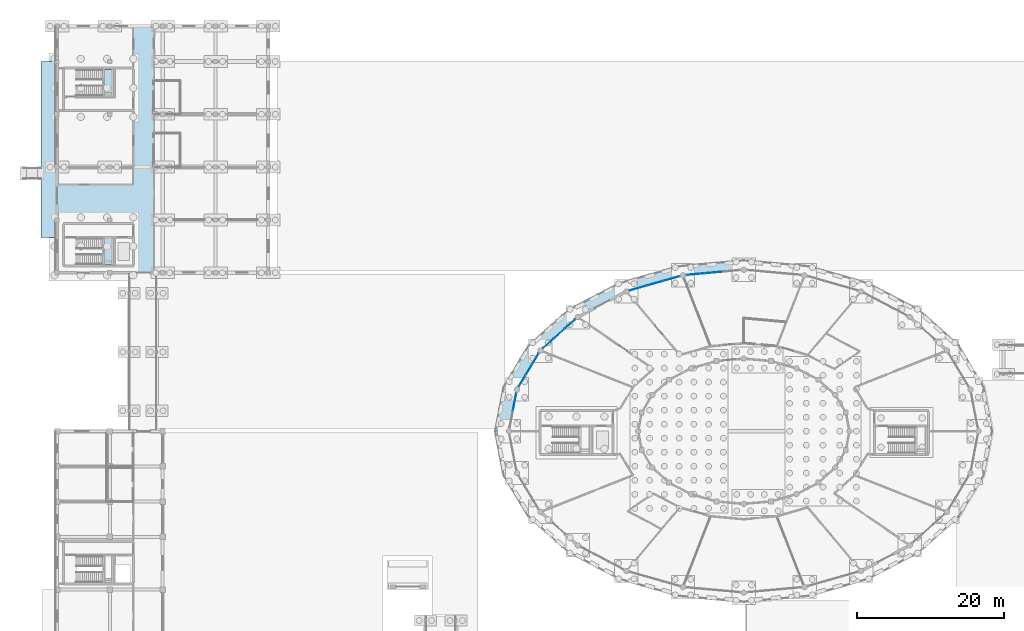
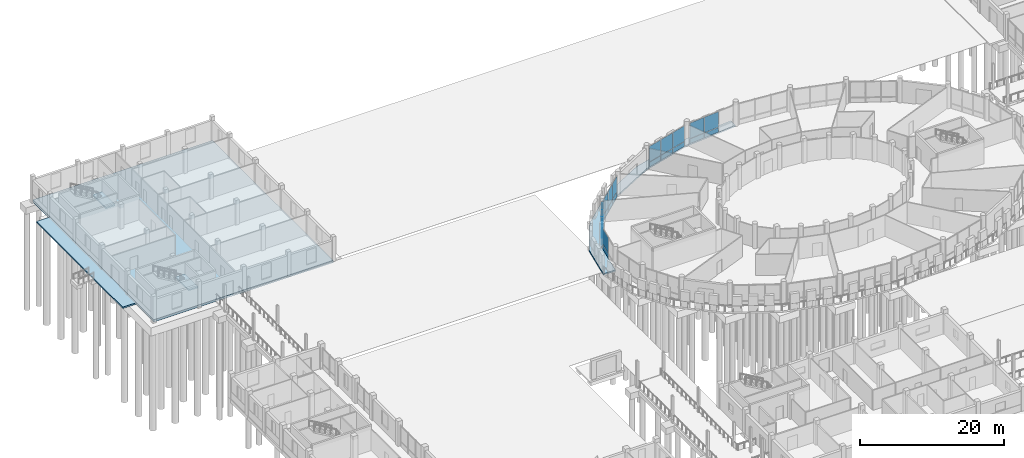
# One storey, part 67 of 98: 24 plates, 5 slabs, 7 elements without a shape of their own.
"""IFC4 building model written with IfcOpenShell, lengths in metres."""

from ifc_helpers import new_model, si_unit, direction, frame, origin, origin_2d, place, context, subcontext, project, spatial, polyline, rectangle, outline, extrude, material, layer, layer_set, type_object, element, aggregate, save


model = new_model("IFC4")

# Units and contexts
model_context = context("Model", 3, precision=1e-05, world=origin(), true_north=direction((0.0, 1.0)))
body_context = subcontext(model_context, "Body", "Model", "MODEL_VIEW")
ifc_project = project(units=[si_unit("LENGTHUNIT", "METRE"), si_unit("AREAUNIT", "SQUARE_METRE"), si_unit("VOLUMEUNIT", "CUBIC_METRE"), si_unit("PLANEANGLEUNIT", "RADIAN"), si_unit("MASSUNIT", "GRAM", prefix="KILO")], contexts=[model_context])

# Site, building, storey
site_placement = place(None, origin())
site = spatial("IfcSite", under=ifc_project, at=site_placement, CompositionType="ELEMENT")
building_placement = place(site_placement, origin())
building = spatial("IfcBuilding", under=site, at=building_placement, Name="Zornivar Specialist Clinic", CompositionType="ELEMENT")
storey_placement = place(building_placement, origin())
storey = spatial("IfcBuildingStorey", under=building, at=storey_placement, Name="L00", CompositionType="ELEMENT", Elevation=0.0)

# Curtain wall, plates
ifc_material_1 = material(Name="Aluminium and Low-E Glass Curtain Wall", Category="aluminium")
curtain_wall_type = type_object("IfcCurtainWallType", Name="CW-DRUM-FACET", PredefinedType="NOTDEFINED", material=ifc_material_1)
curtain_wall_1_placement = place(storey_placement, origin())
curtain_wall_1 = element("IfcCurtainWall", 1, at=curtain_wall_1_placement, inside=storey, type_object=curtain_wall_type, Name="cw:V1:L00:c06", PredefinedType="NOTDEFINED")
ifc_material_2 = material(Name="Insulated Bronze Spandrel Panel")
ifc_layer_1 = layer(ifc_material_2, 0.048095703125)
ifc_layer_set_1 = layer_set([ifc_layer_1], Name="Insulated Bronze Spandrel Panel")
plate_type_1 = type_object("IfcPlateType", Name="CWP-SPN-A", PredefinedType="CURTAIN_PANEL", material=ifc_layer_set_1)
plate_1_placement = place(storey_placement, frame((89.458984375, 79.22509765625, 0.030029296875), z_axis=(0.0, 0.0, 1.0), x_axis=(-0.995932792393, -0.09009923993, 0.0)))
plate_1 = element("IfcPlate", 2, at=plate_1_placement, type_object=plate_type_1, Name="cw:V1:L00:c06:spn:1", PredefinedType="CURTAIN_PANEL", context=body_context, shape_type="SweptSolid", body=[
    extrude(rectangle(XDim=2.382080078125, YDim=0.048095703125, at=origin_2d()), origin(), (0.0, 0.0, 1.0), 0.7900390625),
])
plate_2_placement = place(storey_placement, frame((87.01708984375, 79.00390625, 0.030029296875), z_axis=(0.0, 0.0, 1.0), x_axis=(-0.995932792393, -0.09009923993, 0.0)))
plate_2 = element("IfcPlate", 3, at=plate_2_placement, type_object=plate_type_1, Name="cw:V1:L00:c06:spn:2", PredefinedType="CURTAIN_PANEL", context=body_context, shape_type="SweptSolid", body=[
    extrude(rectangle(XDim=2.382080078125, YDim=0.048095703125, at=origin_2d()), origin(), (0.0, 0.0, 1.0), 0.7900390625),
])

curtain_wall_2_placement = place(storey_placement, origin())
curtain_wall_2 = element("IfcCurtainWall", 4, at=curtain_wall_2_placement, inside=storey, type_object=curtain_wall_type, Name="cw:V1:L00:c07", PredefinedType="NOTDEFINED")
ifc_material_3 = material(Name="Insulated Bronze Spandrel Panel")
ifc_layer_2 = layer(ifc_material_3, 0.048095703125)
ifc_layer_set_2 = layer_set([ifc_layer_2], Name="Insulated Bronze Spandrel Panel")
plate_type_2 = type_object("IfcPlateType", Name="CWP-SPN-B", PredefinedType="CURTAIN_PANEL", material=ifc_layer_set_2)
plate_3_placement = place(storey_placement, frame((83.72412109375, 78.39697265625, 0.030029296875), z_axis=(0.0, 0.0, 1.0), x_axis=(-0.961761244933, -0.273889225319, 0.0)))
plate_3 = element("IfcPlate", 5, at=plate_3_placement, type_object=plate_type_2, Name="cw:V1:L00:c07:spn:0", PredefinedType="CURTAIN_PANEL", context=body_context, shape_type="SweptSolid", body=[
    extrude(rectangle(XDim=2.284912109375, YDim=0.048095703125, at=origin_2d()), origin(), (0.0, 0.0, 1.0), 0.7900390625),
])
plate_4_placement = place(storey_placement, frame((81.458984375, 77.751953125, 0.030029296875), z_axis=(0.0, 0.0, 1.0), x_axis=(-0.961761244933, -0.273889225319, 0.0)))
plate_4 = element("IfcPlate", 6, at=plate_4_placement, type_object=plate_type_2, Name="cw:V1:L00:c07:spn:1", PredefinedType="CURTAIN_PANEL", context=body_context, shape_type="SweptSolid", body=[
    extrude(rectangle(XDim=2.284912109375, YDim=0.048095703125, at=origin_2d()), origin(), (0.0, 0.0, 1.0), 0.7900390625),
])
plate_5_placement = place(storey_placement, frame((79.194091796875, 77.10693359375, 0.030029296875), z_axis=(0.0, 0.0, 1.0), x_axis=(-0.961761244933, -0.273889225319, 0.0)))
plate_5 = element("IfcPlate", 7, at=plate_5_placement, type_object=plate_type_2, Name="cw:V1:L00:c07:spn:2", PredefinedType="CURTAIN_PANEL", context=body_context, shape_type="SweptSolid", body=[
    extrude(rectangle(XDim=2.284912109375, YDim=0.048095703125, at=origin_2d()), origin(), (0.0, 0.0, 1.0), 0.7900390625),
])

curtain_wall_3_placement = place(storey_placement, origin())
curtain_wall_3 = element("IfcCurtainWall", 8, at=curtain_wall_3_placement, inside=storey, type_object=curtain_wall_type, Name="cw:V1:L00:c09", PredefinedType="NOTDEFINED")
ifc_material_4 = material(Name="Insulated Limestone-Faced Spandrel Panel", Category="masonry")
ifc_layer_3 = layer(ifc_material_4, 0.05810546875)
ifc_layer_set_3 = layer_set([ifc_layer_3], Name="Insulated Limestone-Faced Spandrel Panel")
plate_type_3 = type_object("IfcPlateType", Name="CWP-SPN-D", PredefinedType="CURTAIN_PANEL", material=ifc_layer_set_3)
plate_6_placement = place(storey_placement, frame((69.886962890625, 72.18310546875, 0.030029296875), z_axis=(0.0, 0.0, 1.0), x_axis=(-0.744880599036, -0.667197791648, 0.0)))
plate_6 = element("IfcPlate", 9, at=plate_6_placement, type_object=plate_type_3, Name="cw:V1:L00:c09:spn:0", PredefinedType="CURTAIN_PANEL", context=body_context, shape_type="SweptSolid", body=[
    extrude(rectangle(XDim=1.885986328125, YDim=0.05810546875, at=origin_2d()), origin(), (0.0, 0.0, 1.0), 0.7900390625),
])
plate_7_placement = place(storey_placement, frame((68.429931640625, 70.8779296875, 0.030029296875), z_axis=(0.0, 0.0, 1.0), x_axis=(-0.744880599036, -0.667197791648, 0.0)))
plate_7 = element("IfcPlate", 10, at=plate_7_placement, type_object=plate_type_3, Name="cw:V1:L00:c09:spn:1", PredefinedType="CURTAIN_PANEL", context=body_context, shape_type="SweptSolid", body=[
    extrude(rectangle(XDim=1.885986328125, YDim=0.05810546875, at=origin_2d()), origin(), (0.0, 0.0, 1.0), 0.7900390625),
])
plate_8_placement = place(storey_placement, frame((66.972900390625, 69.572998046875, 0.030029296875), z_axis=(0.0, 0.0, 1.0), x_axis=(-0.744880599036, -0.667197791648, 0.0)))
plate_8 = element("IfcPlate", 11, at=plate_8_placement, type_object=plate_type_3, Name="cw:V1:L00:c09:spn:2", PredefinedType="CURTAIN_PANEL", context=body_context, shape_type="SweptSolid", body=[
    extrude(rectangle(XDim=1.885009765625, YDim=0.05810546875, at=origin_2d()), origin(), (0.0, 0.0, 1.0), 0.7900390625),
])

curtain_wall_4_placement = place(storey_placement, origin())
curtain_wall_4 = element("IfcCurtainWall", 12, at=curtain_wall_4_placement, inside=storey, type_object=curtain_wall_type, Name="cw:V1:L00:c10", PredefinedType="NOTDEFINED")
ifc_material_5 = material(Name="Insulated Bronze Spandrel Panel")
ifc_layer_4 = layer(ifc_material_5, 0.0458984375)
ifc_layer_set_4 = layer_set([ifc_layer_4], Name="Insulated Bronze Spandrel Panel")
plate_type_4 = type_object("IfcPlateType", Name="CWP-SPN-E", PredefinedType="CURTAIN_PANEL", material=ifc_layer_set_4)
plate_9_placement = place(storey_placement, frame((65.18896484375, 67.44091796875, 0.030029296875), z_axis=(0.0, 0.0, 1.0), x_axis=(-0.516127401954, -0.856511824175, 0.0)))
plate_9 = element("IfcPlate", 13, at=plate_9_placement, type_object=plate_type_4, Name="cw:V1:L00:c10:spn:0", PredefinedType="CURTAIN_PANEL", context=body_context, shape_type="SweptSolid", body=[
    extrude(rectangle(XDim=1.675048828125, YDim=0.0458984375, at=origin_2d()), origin(), (0.0, 0.0, 1.0), 0.7900390625),
])
plate_10_placement = place(storey_placement, frame((64.2890625, 65.947021484375, 0.030029296875), z_axis=(0.0, 0.0, 1.0), x_axis=(-0.516127401954, -0.856511824175, 0.0)))
plate_10 = element("IfcPlate", 14, at=plate_10_placement, type_object=plate_type_4, Name="cw:V1:L00:c10:spn:1", PredefinedType="CURTAIN_PANEL", context=body_context, shape_type="SweptSolid", body=[
    extrude(rectangle(XDim=1.675048828125, YDim=0.0458984375, at=origin_2d()), origin(), (0.0, 0.0, 1.0), 0.7900390625),
])
plate_11_placement = place(storey_placement, frame((63.387939453125, 64.451904296875, 0.030029296875), z_axis=(0.0, 0.0, 1.0), x_axis=(-0.516127401954, -0.856511824175, 0.0)))
plate_11 = element("IfcPlate", 15, at=plate_11_placement, type_object=plate_type_4, Name="cw:V1:L00:c10:spn:2", PredefinedType="CURTAIN_PANEL", context=body_context, shape_type="SweptSolid", body=[
    extrude(rectangle(XDim=1.675048828125, YDim=0.0458984375, at=origin_2d()), origin(), (0.0, 0.0, 1.0), 0.7900390625),
])

# Curtain wall, plate
curtain_wall_5_placement = place(storey_placement, origin())
curtain_wall_5 = element("IfcCurtainWall", 16, at=curtain_wall_5_placement, inside=storey, type_object=curtain_wall_type, Name="cw:V1:L00:c11", PredefinedType="NOTDEFINED")
ifc_material_6 = material(Name="Insulated Terracotta Spandrel Panel", Category="masonry")
ifc_layer_5 = layer(ifc_material_6, 0.05810546875)
ifc_layer_set_5 = layer_set([ifc_layer_5], Name="Insulated Terracotta Spandrel Panel")
plate_type_5 = type_object("IfcPlateType", Name="CWP-SPN-F", PredefinedType="CURTAIN_PANEL", material=ifc_layer_set_5)
plate_12_placement = place(storey_placement, frame((62.3720703125, 61.635009765625, 0.030029296875), z_axis=(0.0, 0.0, 1.0), x_axis=(-0.187896976838, -0.982188742602, 0.0)))
plate_12 = element("IfcPlate", 17, at=plate_12_placement, type_object=plate_type_5, Name="cw:V1:L00:c11:spn:0", PredefinedType="CURTAIN_PANEL", context=body_context, shape_type="SweptSolid", body=[
    extrude(rectangle(XDim=2.34912109375, YDim=0.05810546875, at=origin_2d()), origin(), (0.0, 0.0, 1.0), 0.7900390625),
])

# Plate
ifc_material_7 = material(Name="Triple Low-E Vision Glass", Category="glass")
ifc_layer_6 = layer(ifc_material_7, 0.035888671875)
ifc_layer_set_6 = layer_set([ifc_layer_6], Name="Triple Low-E Vision Glass")
plate_type_6 = type_object("IfcPlateType", Name="CWP-VIS-A", PredefinedType="CURTAIN_PANEL", material=ifc_layer_set_6)
plate_13_placement = place(storey_placement, frame((65.18896484375, 67.44091796875, 0.884521484375), z_axis=(0.0, 0.0, 1.0), x_axis=(-0.516127401954, -0.856511824175, 0.0)))
plate_13 = element("IfcPlate", 18, at=plate_13_placement, type_object=plate_type_6, Name="cw:V1:L00:c10:vis:0", PredefinedType="CURTAIN_PANEL", context=body_context, shape_type="SweptSolid", body=[
    extrude(rectangle(XDim=1.675048828125, YDim=0.035888671875, at=origin_2d()), origin(), (0.0, 0.0, 1.0), 2.625),
])

plate_14_placement = place(storey_placement, frame((64.2890625, 65.947021484375, 0.884521484375), z_axis=(0.0, 0.0, 1.0), x_axis=(-0.516127401954, -0.856511824175, 0.0)))
plate_14 = element("IfcPlate", 19, at=plate_14_placement, type_object=plate_type_6, Name="cw:V1:L00:c10:vis:1", PredefinedType="CURTAIN_PANEL", context=body_context, shape_type="SweptSolid", body=[
    extrude(rectangle(XDim=1.675048828125, YDim=0.035888671875, at=origin_2d()), origin(), (0.0, 0.0, 1.0), 2.625),
])

plate_15_placement = place(storey_placement, frame((63.387939453125, 64.451904296875, 0.884521484375), z_axis=(0.0, 0.0, 1.0), x_axis=(-0.516127401954, -0.856511824175, 0.0)))
plate_15 = element("IfcPlate", 20, at=plate_15_placement, type_object=plate_type_6, Name="cw:V1:L00:c10:vis:2", PredefinedType="CURTAIN_PANEL", context=body_context, shape_type="SweptSolid", body=[
    extrude(rectangle(XDim=1.675048828125, YDim=0.035888671875, at=origin_2d()), origin(), (0.0, 0.0, 1.0), 2.625),
])

aggregate(curtain_wall_4, [plate_9, plate_13, plate_10, plate_14, plate_11, plate_15])

ifc_material_8 = material(Name="Triple Low-E Vision Glass", Category="glass")
ifc_layer_7 = layer(ifc_material_8, 0.035888671875)
ifc_layer_set_7 = layer_set([ifc_layer_7], Name="Triple Low-E Vision Glass")
plate_type_7 = type_object("IfcPlateType", Name="CWP-VIS-B", PredefinedType="CURTAIN_PANEL", material=ifc_layer_set_7)
plate_16_placement = place(storey_placement, frame((62.3720703125, 61.635009765625, 0.884521484375), z_axis=(0.0, 0.0, 1.0), x_axis=(-0.187896976838, -0.982188742602, 0.0)))
plate_16 = element("IfcPlate", 21, at=plate_16_placement, type_object=plate_type_7, Name="cw:V1:L00:c11:vis:0", PredefinedType="CURTAIN_PANEL", context=body_context, shape_type="SweptSolid", body=[
    extrude(rectangle(XDim=2.34912109375, YDim=0.035888671875, at=origin_2d()), origin(), (0.0, 0.0, 1.0), 2.625),
])

aggregate(curtain_wall_5, [plate_12, plate_16])

ifc_material_9 = material(Name="Triple Low-E Vision Glass", Category="glass")
ifc_layer_8 = layer(ifc_material_9, 0.035888671875)
ifc_layer_set_8 = layer_set([ifc_layer_8], Name="Triple Low-E Vision Glass")
plate_type_8 = type_object("IfcPlateType", Name="CWP-VIS-G", PredefinedType="CURTAIN_PANEL", material=ifc_layer_set_8)
plate_17_placement = place(storey_placement, frame((89.458984375, 79.22509765625, 0.884521484375), z_axis=(0.0, 0.0, 1.0), x_axis=(-0.995932792393, -0.09009923993, 0.0)))
plate_17 = element("IfcPlate", 22, at=plate_17_placement, type_object=plate_type_8, Name="cw:V1:L00:c06:vis:1", PredefinedType="CURTAIN_PANEL", context=body_context, shape_type="SweptSolid", body=[
    extrude(rectangle(XDim=2.382080078125, YDim=0.035888671875, at=origin_2d()), origin(), (0.0, 0.0, 1.0), 2.625),
])

plate_18_placement = place(storey_placement, frame((87.01708984375, 79.00390625, 0.884521484375), z_axis=(0.0, 0.0, 1.0), x_axis=(-0.995932792393, -0.09009923993, 0.0)))
plate_18 = element("IfcPlate", 23, at=plate_18_placement, type_object=plate_type_8, Name="cw:V1:L00:c06:vis:2", PredefinedType="CURTAIN_PANEL", context=body_context, shape_type="SweptSolid", body=[
    extrude(rectangle(XDim=2.382080078125, YDim=0.035888671875, at=origin_2d()), origin(), (0.0, 0.0, 1.0), 2.625),
])

aggregate(curtain_wall_1, [plate_1, plate_17, plate_2, plate_18])

ifc_material_10 = material(Name="Triple Low-E Vision Glass", Category="glass")
ifc_layer_9 = layer(ifc_material_10, 0.033935546875)
ifc_layer_set_9 = layer_set([ifc_layer_9], Name="Triple Low-E Vision Glass")
plate_type_9 = type_object("IfcPlateType", Name="CWP-VIS-H", PredefinedType="CURTAIN_PANEL", material=ifc_layer_set_9)
plate_19_placement = place(storey_placement, frame((83.72412109375, 78.39697265625, 0.884521484375), z_axis=(0.0, 0.0, 1.0), x_axis=(-0.961761244933, -0.273889225319, 0.0)))
plate_19 = element("IfcPlate", 24, at=plate_19_placement, type_object=plate_type_9, Name="cw:V1:L00:c07:vis:0", PredefinedType="CURTAIN_PANEL", context=body_context, shape_type="SweptSolid", body=[
    extrude(rectangle(XDim=2.284912109375, YDim=0.033935546875, at=origin_2d()), origin(), (0.0, 0.0, 1.0), 2.625),
])

plate_20_placement = place(storey_placement, frame((81.458984375, 77.751953125, 0.884521484375), z_axis=(0.0, 0.0, 1.0), x_axis=(-0.961761244933, -0.273889225319, 0.0)))
plate_20 = element("IfcPlate", 25, at=plate_20_placement, type_object=plate_type_9, Name="cw:V1:L00:c07:vis:1", PredefinedType="CURTAIN_PANEL", context=body_context, shape_type="SweptSolid", body=[
    extrude(rectangle(XDim=2.284912109375, YDim=0.033935546875, at=origin_2d()), origin(), (0.0, 0.0, 1.0), 2.625),
])

plate_21_placement = place(storey_placement, frame((79.194091796875, 77.10693359375, 0.884521484375), z_axis=(0.0, 0.0, 1.0), x_axis=(-0.961761244933, -0.273889225319, 0.0)))
plate_21 = element("IfcPlate", 26, at=plate_21_placement, type_object=plate_type_9, Name="cw:V1:L00:c07:vis:2", PredefinedType="CURTAIN_PANEL", context=body_context, shape_type="SweptSolid", body=[
    extrude(rectangle(XDim=2.284912109375, YDim=0.033935546875, at=origin_2d()), origin(), (0.0, 0.0, 1.0), 2.625),
])

aggregate(curtain_wall_2, [plate_3, plate_19, plate_4, plate_20, plate_5, plate_21])

ifc_material_11 = material(Name="Solar-Control Wintergarden Glass", Category="glass")
ifc_layer_10 = layer(ifc_material_11, 0.0380859375)
ifc_layer_set_10 = layer_set([ifc_layer_10], Name="Solar-Control Wintergarden Glass")
plate_type_10 = type_object("IfcPlateType", Name="CWP-VIS-L", PredefinedType="CURTAIN_PANEL", material=ifc_layer_set_10)
plate_22_placement = place(storey_placement, frame((69.886962890625, 72.18310546875, 0.884521484375), z_axis=(0.0, 0.0, 1.0), x_axis=(-0.744880599036, -0.667197791648, 0.0)))
plate_22 = element("IfcPlate", 27, at=plate_22_placement, type_object=plate_type_10, Name="cw:V1:L00:c09:vis:0", PredefinedType="CURTAIN_PANEL", context=body_context, shape_type="SweptSolid", body=[
    extrude(rectangle(XDim=1.885986328125, YDim=0.0380859375, at=origin_2d()), origin(), (0.0, 0.0, 1.0), 2.625),
])

plate_23_placement = place(storey_placement, frame((68.429931640625, 70.8779296875, 0.884521484375), z_axis=(0.0, 0.0, 1.0), x_axis=(-0.744880599036, -0.667197791648, 0.0)))
plate_23 = element("IfcPlate", 28, at=plate_23_placement, type_object=plate_type_10, Name="cw:V1:L00:c09:vis:1", PredefinedType="CURTAIN_PANEL", context=body_context, shape_type="SweptSolid", body=[
    extrude(rectangle(XDim=1.885986328125, YDim=0.0380859375, at=origin_2d()), origin(), (0.0, 0.0, 1.0), 2.625),
])

plate_24_placement = place(storey_placement, frame((66.972900390625, 69.572998046875, 0.884521484375), z_axis=(0.0, 0.0, 1.0), x_axis=(-0.744880599036, -0.667197791648, 0.0)))
plate_24 = element("IfcPlate", 29, at=plate_24_placement, type_object=plate_type_10, Name="cw:V1:L00:c09:vis:2", PredefinedType="CURTAIN_PANEL", context=body_context, shape_type="SweptSolid", body=[
    extrude(rectangle(XDim=1.885009765625, YDim=0.0380859375, at=origin_2d()), origin(), (0.0, 0.0, 1.0), 2.625),
])

aggregate(curtain_wall_3, [plate_6, plate_22, plate_7, plate_23, plate_8, plate_24])

# Slabs
ifc_material_12 = material(Name="Concrete C30/37", Category="concrete")
ifc_layer_11 = layer(ifc_material_12, 0.3798828125)
ifc_layer_set_11 = layer_set([ifc_layer_11], Name="Concrete C30/37")
slab_type_1 = type_object("IfcSlabType", Name="SLB-BASE-380", PredefinedType="BASESLAB", material=ifc_layer_set_11)
slab_1_placement = place(storey_placement, frame((0.0, 0.0, -0.3798828125)))
element("IfcSlab", 30, at=slab_1_placement, inside=storey, type_object=slab_type_1, Name="slab:V5:L00:main", PredefinedType="BASESLAB", context=body_context, shape_type="SweptSolid", body=[
    extrude(outline(polyline([(0.0, 79.199951171875), (28.800048828125, 79.199951171875), (28.800048828125, 112.800048828125), (0.0, 112.800048828125), (0.0, 79.199951171875)])), origin(), (0.0, 0.0, 1.0), 0.3798828125),
])
ifc_material_13 = material(Name="Concrete C30/37", Category="concrete")
ifc_layer_12 = layer(ifc_material_13, 0.25)
ifc_layer_set_12 = layer_set([ifc_layer_12], Name="Concrete C30/37")
slab_type_2 = type_object("IfcSlabType", Name="SLB-EXT-APRON-250", PredefinedType="FLOOR", material=ifc_layer_set_12)
slab_2_placement = place(storey_placement, frame((0.0, 0.0, -0.25)))
element("IfcSlab", 31, at=slab_2_placement, inside=storey, type_object=slab_type_2, Name="slab:apron:L00:V5W", PredefinedType="FLOOR", context=body_context, shape_type="SweptSolid", body=[
    extrude(outline(polyline([(-2.199951171875, 84.0), (0.0, 84.0), (0.0, 108.0), (-2.199951171875, 108.0), (-2.199951171875, 84.0)])), origin(), (0.0, 0.0, 1.0), 0.25),
])
ifc_material_14 = material(Name="Concrete C30/37", Category="concrete")
ifc_layer_13 = layer(ifc_material_14, 0.239990234375)
ifc_layer_set_13 = layer_set([ifc_layer_13], Name="Concrete C30/37")
slab_type_3 = type_object("IfcSlabType", Name="SLB-EXT-BALC-240", PredefinedType="FLOOR", material=ifc_layer_set_13)
slab_3_placement = place(storey_placement, frame((0.0, 0.0, -0.239990234375)))
element("IfcSlab", 32, at=slab_3_placement, inside=storey, type_object=slab_type_3, Name="slab:V1:L00:balc:q1", PredefinedType="FLOOR", context=body_context, shape_type="SweptSolid", body=[
    extrude(outline(polyline([(93.60009765625, 79.60009765625), (85.318115234375, 78.85009765625), (77.60009765625, 76.653076171875), (70.972900390625, 73.156005859375), (65.886962890625, 68.60009765625), (62.68994140625, 63.2939453125), (61.60009765625, 57.60009765625), (59.679931640625, 57.60009765625), (60.8359375, 63.635986328125), (64.22412109375, 69.260009765625), (69.614990234375, 74.090087890625), (76.639892578125, 77.7958984375), (84.821044921875, 80.125), (93.60009765625, 80.919921875), (93.60009765625, 79.60009765625)])), origin(), (0.0, 0.0, 1.0), 0.239990234375),
])

# Stair, slab
ifc_material_15 = material(Name="Concrete C30/37", Category="concrete")
stair_type = type_object("IfcStairType", Name="STR-CORE-L00-L01", PredefinedType="HALF_TURN_STAIR", material=ifc_material_15)
stair_1_placement = place(storey_placement, origin())
stair_1 = element("IfcStair", 33, at=stair_1_placement, inside=storey, type_object=stair_type, Name="stair:C7:L00", PredefinedType="HALF_TURN_STAIR")
ifc_material_16 = material(Name="Concrete C30/37", Category="concrete")
ifc_layer_14 = layer(ifc_material_16, 0.2099609375)
ifc_layer_set_14 = layer_set([ifc_layer_14], Name="Concrete C30/37")
slab_type_4 = type_object("IfcSlabType", Name="SLB-LANDING-210", PredefinedType="LANDING", material=ifc_layer_set_14)
slab_4_placement = place(storey_placement, frame((0.0, 0.0, 2.0400390625)))
slab_4 = element("IfcSlab", 34, at=slab_4_placement, type_object=slab_type_4, Name="stair:C7:L00:land", PredefinedType="LANDING", context=body_context, shape_type="SweptSolid", body=[
    extrude(outline(polyline([(6.219970703125, 80.280029296875), (7.719970703125, 80.280029296875), (7.719970703125, 83.919921875), (6.219970703125, 83.919921875), (6.219970703125, 80.280029296875)])), origin(), (0.0, 0.0, 1.0), 0.2099609375),
])
aggregate(stair_1, [slab_4])

stair_2_placement = place(storey_placement, origin())
stair_2 = element("IfcStair", 35, at=stair_2_placement, inside=storey, type_object=stair_type, Name="stair:C8:L00", PredefinedType="HALF_TURN_STAIR")
slab_5_placement = place(storey_placement, frame((0.0, 0.0, 2.0400390625)))
slab_5 = element("IfcSlab", 36, at=slab_5_placement, type_object=slab_type_4, Name="stair:C8:L00:land", PredefinedType="LANDING", context=body_context, shape_type="SweptSolid", body=[
    extrude(outline(polyline([(6.219970703125, 103.280029296875), (7.719970703125, 103.280029296875), (7.719970703125, 106.919921875), (6.219970703125, 106.919921875), (6.219970703125, 103.280029296875)])), origin(), (0.0, 0.0, 1.0), 0.2099609375),
])
aggregate(stair_2, [slab_5])

save(model, "model.ifc")
